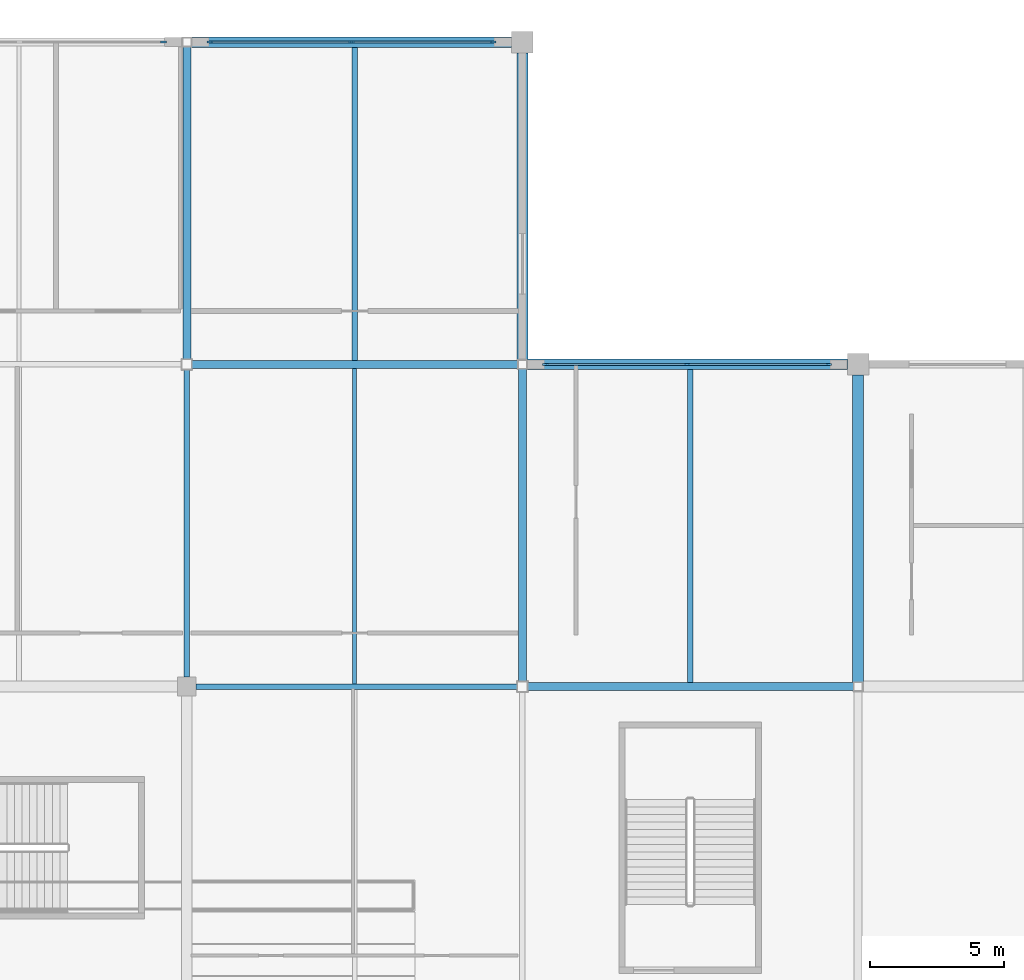
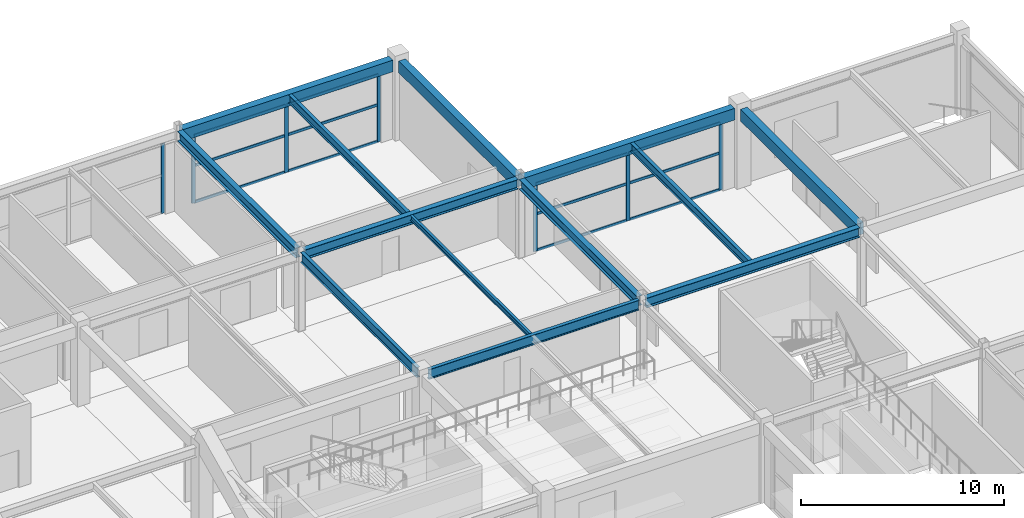
# One storey, part 67 of 128: 19 members, 13 beams, 3 elements without a shape of their own.
"""IFC4 building model written with IfcOpenShell, lengths in metres."""

import ifcopenshell
import ifcopenshell.guid

model = None  # the IFC model being written
_history = None  # IfcOwnerHistory: only IFC2X3 demands one
_inside = {}  # id of a spatial element -> (the spatial element, [elements in it])
_under = {}  # id of a project, library or spatial element -> (it, [spatial elements below it])
_declared = {}  # id of a project -> (the project, [libraries it declares])
_typed = {}  # id of a type object -> (the type object, [elements of that type])
_made_of = {}  # id of a material, layer set ... -> (it, [elements and type objects made of it])


def new_model(schema):
    """Start an empty IFC model of exactly this schema.

    Asked for "IFC4X3", IfcOpenShell would pick the latest addendum, in which some entities
    have other attributes; the version numbers below select the first issue.
    IFC2X3 requires an IfcOwnerHistory on every rooted entity: one is made here for all.
    """
    global model, _history
    if schema == "IFC4X3":
        model = ifcopenshell.file(schema_version=(4, 3, 0, 0))
    else:
        model = ifcopenshell.file(schema=schema)
    _inside.clear()
    _under.clear()
    _declared.clear()
    _typed.clear()
    _made_of.clear()
    _history = None
    if model.schema == "IFC2X3":
        org = make("IfcOrganization", Name="unknown")
        user = make(
            "IfcPersonAndOrganization",
            ThePerson=make("IfcPerson", FamilyName="unknown"),
            TheOrganization=org,
        )
        app = make(
            "IfcApplication",
            ApplicationDeveloper=org,
            Version="unknown",
            ApplicationFullName="unknown",
            ApplicationIdentifier="unknown",
        )
        _history = make(
            "IfcOwnerHistory",
            OwningUser=user,
            OwningApplication=app,
            ChangeAction="ADDED",
            CreationDate=0,
        )
    return model


def make(cls, **values):
    """One entity of the class cls with the attributes given. An attribute that is None is left unset."""
    return model.create_entity(
        cls, **{name: value for name, value in values.items() if value is not None}
    )


def rooted(cls, **values):
    """An entity with a GlobalId (a new one), such as an element, a storey or a relation."""
    return make(cls, GlobalId=ifcopenshell.guid.new(), OwnerHistory=_history, **values)


def si_unit(unit_type, name, prefix=None):
    """IfcSIUnit, for example si_unit("LENGTHUNIT", "METRE", prefix="MILLI")."""
    return make("IfcSIUnit", UnitType=unit_type, Prefix=prefix, Name=name)


def assignment(units):
    """IfcUnitAssignment: the units of a project."""
    return None if units is None else make("IfcUnitAssignment", Units=units)


def point(xyz):
    """IfcCartesianPoint."""
    return None if xyz is None else make("IfcCartesianPoint", Coordinates=xyz)


def direction(xyz):
    """IfcDirection."""
    return None if xyz is None else make("IfcDirection", DirectionRatios=xyz)


def frame(location, z_axis=None, x_axis=None):
    """IfcAxis2Placement3D, a coordinate frame: its origin and axes. An axis left out is left unset."""
    return make(
        "IfcAxis2Placement3D",
        Location=point(location),
        Axis=direction(z_axis),
        RefDirection=direction(x_axis),
    )


def frame_2d(location, x_axis=None):
    """IfcAxis2Placement2D, a coordinate frame in the plane: its origin and x axis."""
    return make(
        "IfcAxis2Placement2D", Location=point(location), RefDirection=direction(x_axis)
    )


def origin():
    """The frame at (0, 0, 0) with its axes left unset."""
    return frame((0.0, 0.0, 0.0))


def origin_2d():
    """The frame at (0, 0) in the plane with its x axis left unset."""
    return frame_2d((0.0, 0.0))


def place(relative_to, where):
    """IfcLocalPlacement: puts the frame where relative to a parent placement (None: the world)."""
    return make(
        "IfcLocalPlacement", PlacementRelTo=relative_to, RelativePlacement=where
    )


def context(
    kind, dimensions, precision=None, world=None, true_north=None, identifier=None
):
    """IfcGeometricRepresentationContext, for example the 3D "Model" context."""
    return make(
        "IfcGeometricRepresentationContext",
        ContextIdentifier=identifier,
        ContextType=kind,
        CoordinateSpaceDimension=dimensions,
        Precision=precision,
        WorldCoordinateSystem=world,
        TrueNorth=true_north,
    )


def subcontext(parent, identifier, kind, view, scale=None):
    """IfcGeometricRepresentationSubContext, for example "Body" below "Model"."""
    return make(
        "IfcGeometricRepresentationSubContext",
        ContextIdentifier=identifier,
        ContextType=kind,
        ParentContext=parent,
        TargetScale=scale,
        TargetView=view,
    )


def project(units=None, contexts=None):
    """IfcProject with its units and contexts."""
    return rooted(
        "IfcProject",
        Name="project",
        RepresentationContexts=contexts,
        UnitsInContext=assignment(units),
    )


def spatial(cls, under=None, at=None, **own):
    """A site, building, storey or space (cls), placed at a placement, below another one or the project."""
    s = rooted(cls, ObjectPlacement=at, **own)
    if under is not None:
        _under.setdefault(under.id(), (under, []))[1].append(s)
    return s


def profile(cls, at=None, kind="AREA", **sizes):
    """A parametric profile (cls). Its sizes go by their IFC names, for example OverallWidth=200.0."""
    return make(cls, ProfileType=kind, Position=at, **sizes)


def rectangle(**sizes):
    """IfcRectangleProfileDef."""
    return profile("IfcRectangleProfileDef", **sizes)


def i_section(**sizes):
    """IfcIShapeProfileDef."""
    return profile("IfcIShapeProfileDef", **sizes)


def extrude(swept, where, along, depth):
    """IfcExtrudedAreaSolid: the profile swept, set in the frame where, extruded along a direction by depth."""
    return make(
        "IfcExtrudedAreaSolid",
        SweptArea=swept,
        Position=where,
        ExtrudedDirection=direction(along),
        Depth=depth,
    )


def shape(context_of_items, identifier, shape_type, items):
    """IfcShapeRepresentation: the items that make up one representation, for example the "Body"."""
    return make(
        "IfcShapeRepresentation",
        ContextOfItems=context_of_items,
        RepresentationIdentifier=identifier,
        RepresentationType=shape_type,
        Items=items,
    )


def material(Name=None, Category=None):
    """IfcMaterial."""
    return make("IfcMaterial", Name=Name, Category=Category)


def layer(
    of_material, thickness, ventilated=None, Name=None, Category=None, Priority=None
):
    """IfcMaterialLayer: one layer of a wall or slab, of a material (None: an air gap)."""
    return make(
        "IfcMaterialLayer",
        Material=of_material,
        LayerThickness=thickness,
        IsVentilated=ventilated,
        Name=Name,
        Category=Category,
        Priority=Priority,
    )


def layer_set(layers, Name=None):
    """IfcMaterialLayerSet."""
    return make("IfcMaterialLayerSet", MaterialLayers=layers, LayerSetName=Name)


def material_profile(
    of_material, cross_section, Name=None, Category=None, Priority=None
):
    """IfcMaterialProfile: a cross section and its material."""
    return make(
        "IfcMaterialProfile",
        Name=Name,
        Material=of_material,
        Profile=cross_section,
        Priority=Priority,
        Category=Category,
    )


def profile_set(profiles, Name=None, composite=None):
    """IfcMaterialProfileSet."""
    return make(
        "IfcMaterialProfileSet",
        Name=Name,
        MaterialProfiles=profiles,
        CompositeProfile=composite,
    )


def made_of(thing, what):
    """Note that an element or type object is made of a material, layer set ...; save() writes the relation."""
    if what is not None:
        _made_of.setdefault(what.id(), (what, []))[1].append(thing)
    return thing


def type_object(cls, material=None, **own):
    """A type object (cls), such as IfcWallType, which elements share."""
    return made_of(rooted(cls, **own), material)


def element(
    cls,
    number,
    at=None,
    inside=None,
    cuts=None,
    type_object=None,
    material=None,
    context=None,
    identifier="Body",
    shape_type=None,
    held_by="IfcProductDefinitionShape",
    body=None,
    shapes=None,
    **own,
):
    """One element of the class cls, such as IfcWall. Its Tag is "e" and its number.

    at: its placement. inside: the storey or other place that contains it. cuts: it is an
    opening in that element (IfcRelVoidsElement). A single representation is given by context,
    identifier, shape_type and body (its items); several are given by shapes. held_by: the class
    of the entity that holds the representations. save() writes the other relations.
    """
    e = rooted(cls, Tag="e%d" % number, ObjectPlacement=at, **own)
    if body is not None:
        shapes = [shape(context, identifier, shape_type, body)]
    if shapes is not None:
        e.Representation = make(held_by, Representations=shapes)
    if inside is not None:
        _inside.setdefault(inside.id(), (inside, []))[1].append(e)
    if cuts is not None:
        rooted(
            "IfcRelVoidsElement", RelatingBuildingElement=cuts, RelatedOpeningElement=e
        )
    if type_object is not None:
        _typed.setdefault(type_object.id(), (type_object, []))[1].append(e)
    return made_of(e, material)


def aggregate(whole, parts):
    """IfcRelAggregates: a whole, such as a stair, and the parts it consists of."""
    return rooted("IfcRelAggregates", RelatingObject=whole, RelatedObjects=parts)


def save(model, path):
    """Write the relations noted so far, then the file.

    IfcRelAggregates (storeys below a building ...), IfcRelContainedInSpatialStructure (elements
    in a storey), IfcRelDefinesByType, IfcRelAssociatesMaterial and IfcRelDeclares: one each for
    every whole, place, type object, material and project.
    """
    for whole, parts in _under.values():
        aggregate(whole, parts)
    for where, things in _inside.values():
        rooted(
            "IfcRelContainedInSpatialStructure",
            RelatedElements=things,
            RelatingStructure=where,
        )
    for kind, things in _typed.values():
        rooted("IfcRelDefinesByType", RelatedObjects=things, RelatingType=kind)
    for what, things in _made_of.values():
        rooted("IfcRelAssociatesMaterial", RelatedObjects=things, RelatingMaterial=what)
    for by, libraries in _declared.values():
        rooted("IfcRelDeclares", RelatingContext=by, RelatedDefinitions=libraries)
    model.write(path)


model = new_model("IFC4")

# Units and contexts
model_context = context("Model", 3, precision=1e-05, world=origin(), true_north=direction((0.0, 1.0)))
body_context = subcontext(model_context, "Body", "Model", "MODEL_VIEW")
ifc_project = project(units=[si_unit("LENGTHUNIT", "METRE"), si_unit("AREAUNIT", "SQUARE_METRE"), si_unit("VOLUMEUNIT", "CUBIC_METRE"), si_unit("PLANEANGLEUNIT", "RADIAN"), si_unit("MASSUNIT", "GRAM", prefix="KILO")], contexts=[model_context])

# Site, building, storey
site_placement = place(None, origin())
site = spatial("IfcSite", under=ifc_project, at=site_placement, CompositionType="ELEMENT")
building_placement = place(site_placement, origin())
building = spatial("IfcBuilding", under=site, at=building_placement, Name="Kazenohara Klinker Stadium", CompositionType="ELEMENT")
storey_placement = place(building_placement, frame((0.0, 0.0, 15.300048828125)))
storey = spatial("IfcBuildingStorey", under=building, at=storey_placement, Name="L03", CompositionType="ELEMENT", Elevation=15.300048828125)

# Beams
ifc_material_1 = material(Name="Steel S355", Category="steel")
ifc_material_profile_1 = material_profile(ifc_material_1, i_section(OverallWidth=0.199951171875, OverallDepth=0.5, WebThickness=0.010009765625, FlangeThickness=0.01611328125, FilletRadius=0.012939453125, at=origin_2d()), Name="H-500x200x10x16")
ifc_profile_set_1 = profile_set([ifc_material_profile_1], Name="Steel S355")
beam_type_1 = type_object("IfcBeamType", Name="BM-JST01", PredefinedType="JOIST", material=ifc_profile_set_1)
for number, where, z_axis, x_axis, name in (
    (1, (168.75, 156.14990234375, 4.510009765625), (0.0, 1.0, 0.0), (-1.0, 0.0, 0.0), "Secondary floor joist SJ01 L03 14/P"),
    (2, (181.25, 144.14990234375, 4.510009765625), (0.0, 1.0, 0.0), (-1.0, 0.0, 0.0), "Secondary floor joist SJ01 L03 15/N"),
):
    element("IfcBeam", number, at=place(storey_placement, frame(where, z_axis=z_axis, x_axis=x_axis)), inside=storey, type_object=beam_type_1, Name=name, PredefinedType="JOIST", context=body_context, shape_type="SweptSolid", body=[
        extrude(i_section(OverallWidth=0.199951171875, OverallDepth=0.5, WebThickness=0.010009765625, FlangeThickness=0.01611328125, FilletRadius=0.012939453125, at=origin_2d()), origin(), (0.0, 0.0, 1.0), 11.650146484375),
    ])
ifc_material_profile_2 = material_profile(ifc_material_1, i_section(OverallWidth=0.14990234375, OverallDepth=0.300048828125, WebThickness=0.006591796875, FlangeThickness=0.009033203125, FilletRadius=0.012939453125, at=origin_2d()), Name="H-300x150x6.5x9")
ifc_profile_set_2 = profile_set([ifc_material_profile_2], Name="Steel S355")
beam_type_2 = type_object("IfcBeamType", Name="BM-JST05", PredefinedType="JOIST", material=ifc_profile_set_2)
beam_1_placement = place(storey_placement, frame((168.75, 144.10009765625, 4.60986328125), z_axis=(0.0, 1.0, 0.0), x_axis=(-1.0, 0.0, 0.0)))
element("IfcBeam", 3, at=beam_1_placement, inside=storey, type_object=beam_type_2, Name="Secondary floor joist SJ05 L03 14/N", PredefinedType="JOIST", context=body_context, shape_type="SweptSolid", body=[
    extrude(i_section(OverallWidth=0.14990234375, OverallDepth=0.300048828125, WebThickness=0.006591796875, FlangeThickness=0.009033203125, FilletRadius=0.012939453125, at=origin_2d()), origin(), (0.0, 0.0, 1.0), 11.75),
])
ifc_material_2 = material(Name="Concrete C40/50", Category="concrete")
ifc_material_profile_3 = material_profile(ifc_material_2, rectangle(XDim=0.39990234375, YDim=0.699951171875, at=origin_2d()), Name="RC-BM-400x700")
ifc_profile_set_3 = profile_set([ifc_material_profile_3], Name="Concrete C40/50")
beam_type_3 = type_object("IfcBeamType", Name="BM-RC04", PredefinedType="BEAM", material=ifc_profile_set_3)
for number, where, z_axis, x_axis, name in (
    (4, (162.675048828125, 168.0, 4.409912109375), (1.0, 0.0, 0.0), (0.0, 1.0, 0.0), "Primary girder BG04 L03 14-15/Q"),
    (5, (175.175048828125, 156.0, 4.409912109375), (1.0, 0.0, 0.0), (0.0, 1.0, 0.0), "Primary girder BG04 L03 15-16/P"),
):
    element("IfcBeam", number, at=place(storey_placement, frame(where, z_axis=z_axis, x_axis=x_axis)), inside=storey, type_object=beam_type_3, Name=name, PredefinedType="BEAM", context=body_context, shape_type="SweptSolid", body=[
        extrude(rectangle(XDim=0.39990234375, YDim=0.699951171875, at=origin_2d()), origin(), (0.0, 0.0, 1.0), 11.925048828125),
    ])
for number, where, z_axis, x_axis, name in (
    (6, (175.0, 156.175048828125, 4.409912109375), (0.0, 1.0, 0.0), (-1.0, 0.0, 0.0), "Primary girder BG04 L03 15/P-Q"),
    (7, (187.5, 144.175048828125, 4.409912109375), (0.0, 1.0, 0.0), (-1.0, 0.0, 0.0), "Primary girder BG04 L03 16/N-P"),
):
    element("IfcBeam", number, at=place(storey_placement, frame(where, z_axis=z_axis, x_axis=x_axis)), inside=storey, type_object=beam_type_3, Name=name, PredefinedType="BEAM", context=body_context, shape_type="SweptSolid", body=[
        extrude(rectangle(XDim=0.39990234375, YDim=0.699951171875, at=origin_2d()), origin(), (0.0, 0.0, 1.0), 11.425048828125),
    ])
ifc_material_profile_4 = material_profile(ifc_material_1, i_section(OverallWidth=0.199951171875, OverallDepth=0.60009765625, WebThickness=0.010986328125, FlangeThickness=0.01708984375, FilletRadius=0.012939453125, at=origin_2d()), Name="H-600x200x11x17")
ifc_profile_set_4 = profile_set([ifc_material_profile_4], Name="Steel S355")
beam_type_4 = type_object("IfcBeamType", Name="BM-ST04", PredefinedType="BEAM", material=ifc_profile_set_4)
beam_2_placement = place(storey_placement, frame((162.85009765625, 144.0, 4.4599609375), z_axis=(1.0, 0.0, 0.0), x_axis=(0.0, 1.0, 0.0)))
element("IfcBeam", 8, at=beam_2_placement, inside=storey, type_object=beam_type_4, Name="Primary girder SB04 L03 14-15/N", PredefinedType="BEAM", context=body_context, shape_type="SweptSolid", body=[
    extrude(i_section(OverallWidth=0.199951171875, OverallDepth=0.60009765625, WebThickness=0.010986328125, FlangeThickness=0.01708984375, FilletRadius=0.012939453125, at=origin_2d()), origin(), (0.0, 0.0, 1.0), 11.949951171875),
])
beam_3_placement = place(storey_placement, frame((162.5, 144.35009765625, 4.4599609375), z_axis=(0.0, 1.0, 0.0), x_axis=(-1.0, 0.0, 0.0)))
element("IfcBeam", 9, at=beam_3_placement, inside=storey, type_object=beam_type_4, Name="Primary girder SB04 L03 14/N-P", PredefinedType="BEAM", context=body_context, shape_type="SweptSolid", body=[
    extrude(i_section(OverallWidth=0.199951171875, OverallDepth=0.60009765625, WebThickness=0.010986328125, FlangeThickness=0.01708984375, FilletRadius=0.012939453125, at=origin_2d()), origin(), (0.0, 0.0, 1.0), 11.449951171875),
])
ifc_material_profile_5 = material_profile(ifc_material_1, i_section(OverallWidth=0.300048828125, OverallDepth=0.587890625, WebThickness=0.011962890625, FlangeThickness=0.02001953125, FilletRadius=0.02197265625, at=origin_2d()), Name="H-588x300x12x20")
ifc_profile_set_5 = profile_set([ifc_material_profile_5], Name="Steel S355")
beam_type_5 = type_object("IfcBeamType", Name="BM-ST05", PredefinedType="BEAM", material=ifc_profile_set_5)
for number, where, z_axis, x_axis, name in (
    (10, (162.699951171875, 156.0, 4.466064453125), (1.0, 0.0, 0.0), (0.0, 1.0, 0.0), "Primary girder SB05 L03 14-15/P"),
    (11, (175.199951171875, 144.0, 4.466064453125), (1.0, 0.0, 0.0), (0.0, 1.0, 0.0), "Primary girder SB05 L03 15-16/N"),
):
    element("IfcBeam", number, at=place(storey_placement, frame(where, z_axis=z_axis, x_axis=x_axis)), inside=storey, type_object=beam_type_5, Name=name, PredefinedType="BEAM", context=body_context, shape_type="SweptSolid", body=[
        extrude(i_section(OverallWidth=0.300048828125, OverallDepth=0.587890625, WebThickness=0.011962890625, FlangeThickness=0.02001953125, FilletRadius=0.02197265625, at=origin_2d()), origin(), (0.0, 0.0, 1.0), 12.125),
    ])
for number, where, z_axis, x_axis, name in (
    (12, (162.5, 156.199951171875, 4.466064453125), (0.0, 1.0, 0.0), (-1.0, 0.0, 0.0), "Primary girder SB05 L03 14/P-Q"),
    (13, (175.0, 144.199951171875, 4.466064453125), (0.0, 1.0, 0.0), (-1.0, 0.0, 0.0), "Primary girder SB05 L03 15/N-P"),
):
    element("IfcBeam", number, at=place(storey_placement, frame(where, z_axis=z_axis, x_axis=x_axis)), inside=storey, type_object=beam_type_5, Name=name, PredefinedType="BEAM", context=body_context, shape_type="SweptSolid", body=[
        extrude(i_section(OverallWidth=0.300048828125, OverallDepth=0.587890625, WebThickness=0.011962890625, FlangeThickness=0.02001953125, FilletRadius=0.02197265625, at=origin_2d()), origin(), (0.0, 0.0, 1.0), 11.625),
    ])

# Curtain wall, member
ifc_material_3 = material(Name="Anodised aluminium and triple glazing", Category="aluminium")
ifc_layer_1 = layer(ifc_material_3, 0.179931640625)
ifc_layer_set_1 = layer_set([ifc_layer_1], Name="Anodised aluminium and triple glazing")
curtain_wall_type_1 = type_object("IfcCurtainWallType", Name="CW-SYS-02", PredefinedType="USERDEFINED", material=ifc_layer_set_1)
curtain_wall_1_placement = place(storey_placement, origin())
curtain_wall_1 = element("IfcCurtainWall", 14, at=curtain_wall_1_placement, inside=storey, type_object=curtain_wall_type_1, Name="Unitised facade curtain wall CW02 L03 X12-14", ObjectType="UNITISED CURTAIN WALL", PredefinedType="USERDEFINED")
ifc_material_4 = material(Name="Anodised aluminium 6063-T6", Category="aluminium")
ifc_material_profile_6 = material_profile(ifc_material_4, rectangle(XDim=0.074951171875, YDim=0.219970703125, at=origin_2d()), Name="ALU-MUL-75x220")
ifc_profile_set_6 = profile_set([ifc_material_profile_6], Name="Anodised aluminium 6063-T6")
member_type_1 = type_object("IfcMemberType", Name="CW-MUL-220", PredefinedType="MULLION", material=ifc_profile_set_6)
member_1_placement = place(storey_placement, frame((161.633544921875, 168.0, 0.0), z_axis=(0.0, 0.0, 1.0), x_axis=(0.0, 1.0, 0.0)))
member_1 = element("IfcMember", 15, at=member_1_placement, type_object=member_type_1, Name="CW02 mullion 3", PredefinedType="MULLION", context=body_context, shape_type="SweptSolid", body=[
    extrude(rectangle(XDim=0.074951171875, YDim=0.219970703125, at=origin_2d()), origin(), (0.0, 0.0, 1.0), 4.171875),
])
aggregate(curtain_wall_1, [member_1])

# Curtain wall, members
ifc_layer_2 = layer(ifc_material_3, 0.169921875)
ifc_layer_set_2 = layer_set([ifc_layer_2], Name="Anodised aluminium and triple glazing")
curtain_wall_type_2 = type_object("IfcCurtainWallType", Name="CW-SYS-04", PredefinedType="USERDEFINED", material=ifc_layer_set_2)
curtain_wall_2_placement = place(storey_placement, origin())
curtain_wall_2 = element("IfcCurtainWall", 16, at=curtain_wall_2_placement, inside=storey, type_object=curtain_wall_type_2, Name="Unitised facade curtain wall CW04 L03 X13-14", ObjectType="UNITISED CURTAIN WALL", PredefinedType="USERDEFINED")
member_2_placement = place(storey_placement, frame((163.366455078125, 168.0, 0.0), z_axis=(0.0, 0.0, 1.0), x_axis=(0.0, 1.0, 0.0)))
member_2 = element("IfcMember", 17, at=member_2_placement, type_object=member_type_1, Name="CW04 mullion 1", PredefinedType="MULLION", context=body_context, shape_type="SweptSolid", body=[
    extrude(rectangle(XDim=0.074951171875, YDim=0.219970703125, at=origin_2d()), origin(), (0.0, 0.0, 1.0), 4.06005859375),
])
member_3_placement = place(storey_placement, frame((168.637451171875, 168.0, 0.0), z_axis=(0.0, 0.0, 1.0), x_axis=(0.0, 1.0, 0.0)))
member_3 = element("IfcMember", 18, at=member_3_placement, type_object=member_type_1, Name="CW04 mullion 2", PredefinedType="MULLION", context=body_context, shape_type="SweptSolid", body=[
    extrude(rectangle(XDim=0.074951171875, YDim=0.219970703125, at=origin_2d()), origin(), (0.0, 0.0, 1.0), 4.06005859375),
])
member_4_placement = place(storey_placement, frame((173.908447265625, 168.0, 0.0), z_axis=(0.0, 0.0, 1.0), x_axis=(0.0, 1.0, 0.0)))
member_4 = element("IfcMember", 19, at=member_4_placement, type_object=member_type_1, Name="CW04 mullion 3", PredefinedType="MULLION", context=body_context, shape_type="SweptSolid", body=[
    extrude(rectangle(XDim=0.074951171875, YDim=0.219970703125, at=origin_2d()), origin(), (0.0, 0.0, 1.0), 4.06005859375),
])

ifc_layer_3 = layer(ifc_material_3, 0.199951171875)
ifc_layer_set_3 = layer_set([ifc_layer_3], Name="Anodised aluminium and triple glazing")
curtain_wall_type_3 = type_object("IfcCurtainWallType", Name="CW-SYS-03", PredefinedType="USERDEFINED", material=ifc_layer_set_3)
curtain_wall_3_placement = place(storey_placement, origin())
curtain_wall_3 = element("IfcCurtainWall", 20, at=curtain_wall_3_placement, inside=storey, type_object=curtain_wall_type_3, Name="Unitised facade curtain wall CW03 L03 X14-13", ObjectType="UNITISED CURTAIN WALL", PredefinedType="USERDEFINED")
member_5_placement = place(storey_placement, frame((175.866455078125, 156.0, 0.0), z_axis=(0.0, 0.0, 1.0), x_axis=(0.0, 1.0, 0.0)))
member_5 = element("IfcMember", 21, at=member_5_placement, type_object=member_type_1, Name="CW03 mullion 1", PredefinedType="MULLION", context=body_context, shape_type="SweptSolid", body=[
    extrude(rectangle(XDim=0.074951171875, YDim=0.219970703125, at=origin_2d()), origin(), (0.0, 0.0, 1.0), 4.06005859375),
])
member_6_placement = place(storey_placement, frame((181.137451171875, 156.0, 0.0), z_axis=(0.0, 0.0, 1.0), x_axis=(0.0, 1.0, 0.0)))
member_6 = element("IfcMember", 22, at=member_6_placement, type_object=member_type_1, Name="CW03 mullion 2", PredefinedType="MULLION", context=body_context, shape_type="SweptSolid", body=[
    extrude(rectangle(XDim=0.074951171875, YDim=0.219970703125, at=origin_2d()), origin(), (0.0, 0.0, 1.0), 4.06005859375),
])
member_7_placement = place(storey_placement, frame((186.408447265625, 156.0, 0.0), z_axis=(0.0, 0.0, 1.0), x_axis=(0.0, 1.0, 0.0)))
member_7 = element("IfcMember", 23, at=member_7_placement, type_object=member_type_1, Name="CW03 mullion 3", PredefinedType="MULLION", context=body_context, shape_type="SweptSolid", body=[
    extrude(rectangle(XDim=0.074951171875, YDim=0.219970703125, at=origin_2d()), origin(), (0.0, 0.0, 1.0), 4.06005859375),
])

# Member
ifc_material_profile_7 = material_profile(ifc_material_4, rectangle(XDim=0.074951171875, YDim=0.159912109375, at=origin_2d()), Name="ALU-TRN-75x160")
ifc_profile_set_7 = profile_set([ifc_material_profile_7], Name="Anodised aluminium 6063-T6")
member_type_2 = type_object("IfcMemberType", Name="CW-TRN-160", PredefinedType="USERDEFINED", material=ifc_profile_set_7)
member_8_placement = place(storey_placement, frame((163.404052734375, 168.0, 0.037353515625), z_axis=(1.0, 0.0, 0.0), x_axis=(0.0, 1.0, 0.0)))
member_8 = element("IfcMember", 24, at=member_8_placement, type_object=member_type_2, Name="CW04 transom 1.1", ObjectType="TRANSOM", PredefinedType="USERDEFINED", context=body_context, shape_type="SweptSolid", body=[
    extrude(rectangle(XDim=0.074951171875, YDim=0.159912109375, at=origin_2d()), origin(), (0.0, 0.0, 1.0), 5.196044921875),
])

member_9_placement = place(storey_placement, frame((163.404052734375, 168.0, 2.23291015625), z_axis=(1.0, 0.0, 0.0), x_axis=(0.0, 1.0, 0.0)))
member_9 = element("IfcMember", 25, at=member_9_placement, type_object=member_type_2, Name="CW04 transom 1.2", ObjectType="TRANSOM", PredefinedType="USERDEFINED", context=body_context, shape_type="SweptSolid", body=[
    extrude(rectangle(XDim=0.074951171875, YDim=0.159912109375, at=origin_2d()), origin(), (0.0, 0.0, 1.0), 5.196044921875),
])

member_10_placement = place(storey_placement, frame((163.404052734375, 168.0, 4.0224609375), z_axis=(1.0, 0.0, 0.0), x_axis=(0.0, 1.0, 0.0)))
member_10 = element("IfcMember", 26, at=member_10_placement, type_object=member_type_2, Name="CW04 transom 1.3", ObjectType="TRANSOM", PredefinedType="USERDEFINED", context=body_context, shape_type="SweptSolid", body=[
    extrude(rectangle(XDim=0.074951171875, YDim=0.159912109375, at=origin_2d()), origin(), (0.0, 0.0, 1.0), 5.196044921875),
])

member_11_placement = place(storey_placement, frame((168.675048828125, 168.0, 0.037353515625), z_axis=(1.0, 0.0, 0.0), x_axis=(0.0, 1.0, 0.0)))
member_11 = element("IfcMember", 27, at=member_11_placement, type_object=member_type_2, Name="CW04 transom 2.1", ObjectType="TRANSOM", PredefinedType="USERDEFINED", context=body_context, shape_type="SweptSolid", body=[
    extrude(rectangle(XDim=0.074951171875, YDim=0.159912109375, at=origin_2d()), origin(), (0.0, 0.0, 1.0), 5.196044921875),
])

member_12_placement = place(storey_placement, frame((168.675048828125, 168.0, 2.23291015625), z_axis=(1.0, 0.0, 0.0), x_axis=(0.0, 1.0, 0.0)))
member_12 = element("IfcMember", 28, at=member_12_placement, type_object=member_type_2, Name="CW04 transom 2.2", ObjectType="TRANSOM", PredefinedType="USERDEFINED", context=body_context, shape_type="SweptSolid", body=[
    extrude(rectangle(XDim=0.074951171875, YDim=0.159912109375, at=origin_2d()), origin(), (0.0, 0.0, 1.0), 5.196044921875),
])

member_13_placement = place(storey_placement, frame((168.675048828125, 168.0, 4.0224609375), z_axis=(1.0, 0.0, 0.0), x_axis=(0.0, 1.0, 0.0)))
member_13 = element("IfcMember", 29, at=member_13_placement, type_object=member_type_2, Name="CW04 transom 2.3", ObjectType="TRANSOM", PredefinedType="USERDEFINED", context=body_context, shape_type="SweptSolid", body=[
    extrude(rectangle(XDim=0.074951171875, YDim=0.159912109375, at=origin_2d()), origin(), (0.0, 0.0, 1.0), 5.196044921875),
])

aggregate(curtain_wall_2, [member_2, member_3, member_4, member_8, member_9, member_10, member_11, member_12, member_13])

member_14_placement = place(storey_placement, frame((175.904052734375, 156.0, 0.037353515625), z_axis=(1.0, 0.0, 0.0), x_axis=(0.0, 1.0, 0.0)))
member_14 = element("IfcMember", 30, at=member_14_placement, type_object=member_type_2, Name="CW03 transom 1.1", ObjectType="TRANSOM", PredefinedType="USERDEFINED", context=body_context, shape_type="SweptSolid", body=[
    extrude(rectangle(XDim=0.074951171875, YDim=0.159912109375, at=origin_2d()), origin(), (0.0, 0.0, 1.0), 5.196044921875),
])

member_15_placement = place(storey_placement, frame((175.904052734375, 156.0, 2.23291015625), z_axis=(1.0, 0.0, 0.0), x_axis=(0.0, 1.0, 0.0)))
member_15 = element("IfcMember", 31, at=member_15_placement, type_object=member_type_2, Name="CW03 transom 1.2", ObjectType="TRANSOM", PredefinedType="USERDEFINED", context=body_context, shape_type="SweptSolid", body=[
    extrude(rectangle(XDim=0.074951171875, YDim=0.159912109375, at=origin_2d()), origin(), (0.0, 0.0, 1.0), 5.196044921875),
])

member_16_placement = place(storey_placement, frame((175.904052734375, 156.0, 4.0224609375), z_axis=(1.0, 0.0, 0.0), x_axis=(0.0, 1.0, 0.0)))
member_16 = element("IfcMember", 32, at=member_16_placement, type_object=member_type_2, Name="CW03 transom 1.3", ObjectType="TRANSOM", PredefinedType="USERDEFINED", context=body_context, shape_type="SweptSolid", body=[
    extrude(rectangle(XDim=0.074951171875, YDim=0.159912109375, at=origin_2d()), origin(), (0.0, 0.0, 1.0), 5.196044921875),
])

member_17_placement = place(storey_placement, frame((181.175048828125, 156.0, 0.037353515625), z_axis=(1.0, 0.0, 0.0), x_axis=(0.0, 1.0, 0.0)))
member_17 = element("IfcMember", 33, at=member_17_placement, type_object=member_type_2, Name="CW03 transom 2.1", ObjectType="TRANSOM", PredefinedType="USERDEFINED", context=body_context, shape_type="SweptSolid", body=[
    extrude(rectangle(XDim=0.074951171875, YDim=0.159912109375, at=origin_2d()), origin(), (0.0, 0.0, 1.0), 5.196044921875),
])

member_18_placement = place(storey_placement, frame((181.175048828125, 156.0, 2.23291015625), z_axis=(1.0, 0.0, 0.0), x_axis=(0.0, 1.0, 0.0)))
member_18 = element("IfcMember", 34, at=member_18_placement, type_object=member_type_2, Name="CW03 transom 2.2", ObjectType="TRANSOM", PredefinedType="USERDEFINED", context=body_context, shape_type="SweptSolid", body=[
    extrude(rectangle(XDim=0.074951171875, YDim=0.159912109375, at=origin_2d()), origin(), (0.0, 0.0, 1.0), 5.196044921875),
])

member_19_placement = place(storey_placement, frame((181.175048828125, 156.0, 4.0224609375), z_axis=(1.0, 0.0, 0.0), x_axis=(0.0, 1.0, 0.0)))
member_19 = element("IfcMember", 35, at=member_19_placement, type_object=member_type_2, Name="CW03 transom 2.3", ObjectType="TRANSOM", PredefinedType="USERDEFINED", context=body_context, shape_type="SweptSolid", body=[
    extrude(rectangle(XDim=0.074951171875, YDim=0.159912109375, at=origin_2d()), origin(), (0.0, 0.0, 1.0), 5.196044921875),
])

aggregate(curtain_wall_3, [member_5, member_6, member_7, member_14, member_15, member_16, member_17, member_18, member_19])

save(model, "model.ifc")
